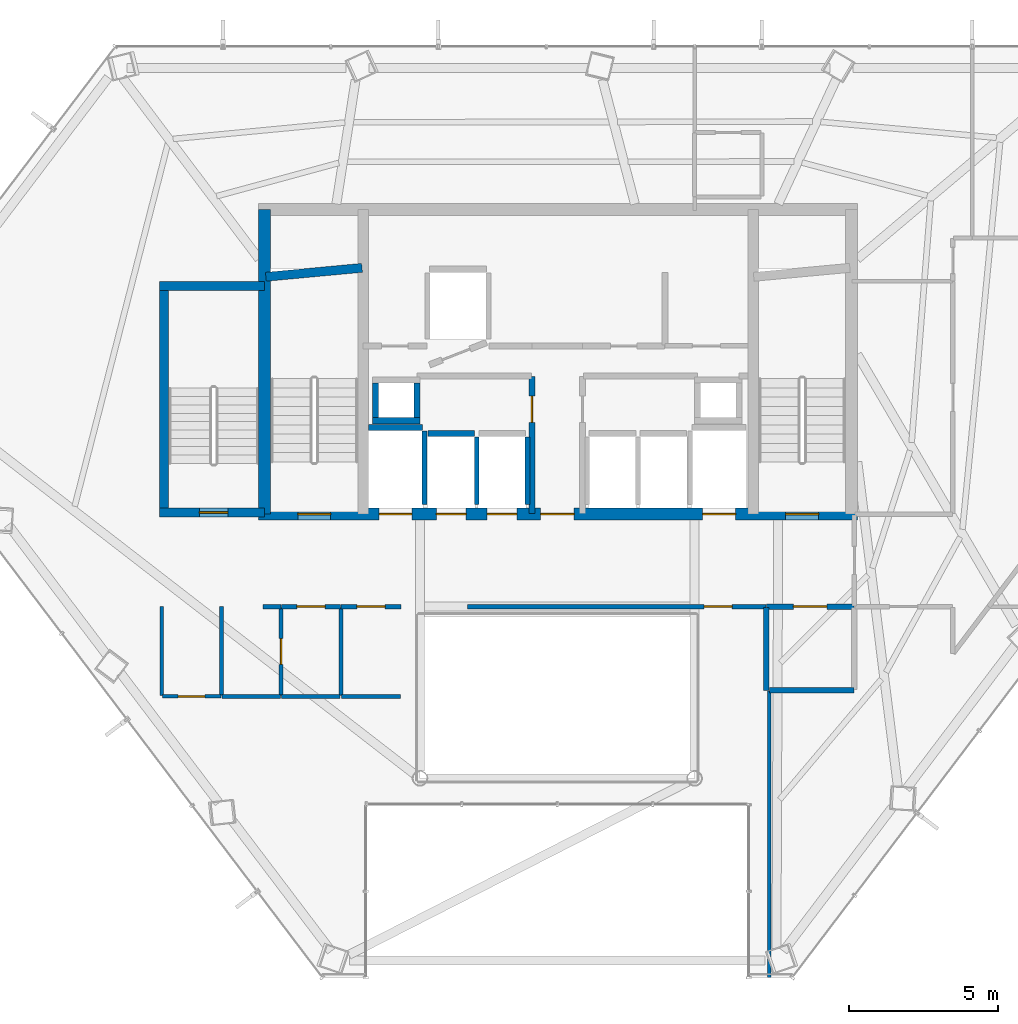
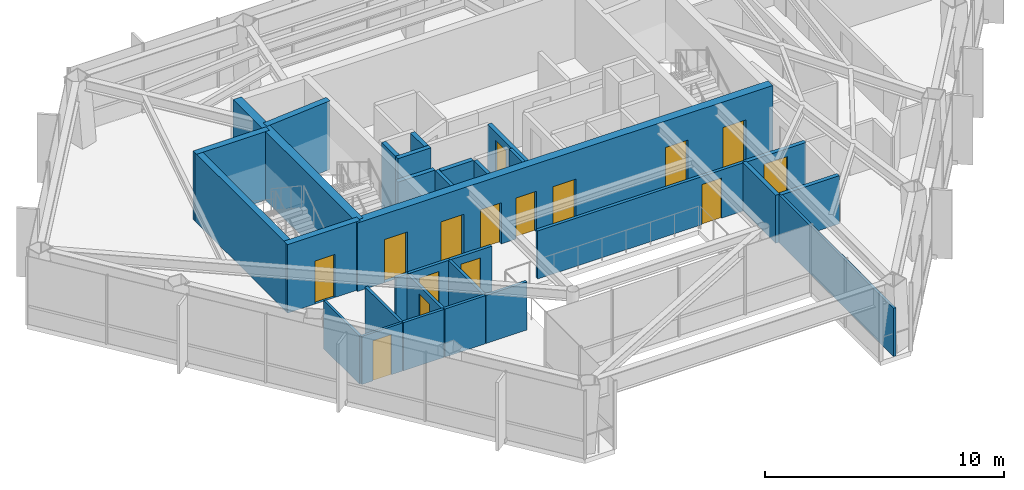
# One storey, part 27 of 30: 31 walls, 15 doors, 15 openings.
"""IFC4 building model written with IfcOpenShell, lengths in metres."""

from ifc_helpers import new_model, si_unit, direction, frame, frame_2d, origin, place, context, subcontext, project, spatial, rectangle, extrude, material, layer, layer_set, type_object, element, fill, save


model = new_model("IFC4")

# Units and contexts
model_context = context("Model", 3, precision=1e-05, world=origin(), true_north=direction((0.0, 1.0)))
body_context = subcontext(model_context, "Body", "Model", "MODEL_VIEW")
ifc_project = project(units=[si_unit("LENGTHUNIT", "METRE"), si_unit("AREAUNIT", "SQUARE_METRE"), si_unit("VOLUMEUNIT", "CUBIC_METRE"), si_unit("PLANEANGLEUNIT", "RADIAN"), si_unit("MASSUNIT", "GRAM", prefix="KILO")], contexts=[model_context])

# Site, building, storey
site_placement = place(None, origin())
site = spatial("IfcSite", under=ifc_project, at=site_placement, CompositionType="ELEMENT")
building_placement = place(site_placement, origin())
building = spatial("IfcBuilding", under=site, at=building_placement, Name="Zarrinselat Tower", CompositionType="ELEMENT")
storey_placement = place(building_placement, frame((0.0, 0.0, 160.820068359375)))
storey = spatial("IfcBuildingStorey", under=building, at=storey_placement, Name="L39", CompositionType="ELEMENT", Elevation=160.820068359375)

# Wall, opening, door
ifc_material_1 = material(Name="Concrete C40/50", Category="concrete")
ifc_layer_1 = layer(ifc_material_1, 0.18994140625)
ifc_layer_set_1 = layer_set([ifc_layer_1], Name="Concrete C40/50")
wall_type_1 = type_object("IfcWallType", Name="WAL-PART-EI120", PredefinedType="PARTITIONING", material=ifc_layer_set_1)
wall_1_placement = place(storey_placement, frame((45.405029296875, 30.14990234375, 0.0), z_axis=(0.0, 0.0, 1.0), x_axis=(1.0, 0.0, 0.0)))
wall_1 = element("IfcWall", 1, at=wall_1_placement, inside=storey, type_object=wall_type_1, Name="L39 Partition Wall 12", PredefinedType="PARTITIONING", context=body_context, shape_type="SweptSolid", body=[
    extrude(rectangle(XDim=2.925048828125, YDim=0.18994140625, at=frame_2d((1.46240234375, 0.0))), origin(), (0.0, 0.0, 1.0), 2.45703125),
])
opening_1_placement = place(wall_1_placement, frame((0.902587890625, 0.0, 0.0)))
opening_1 = element("IfcOpeningElement", 2, at=opening_1_placement, cuts=wall_1, Name="Opening ID-02", PredefinedType="OPENING", context=body_context, shape_type="SweptSolid", body=[
    extrude(rectangle(XDim=1.1201171875, YDim=2.050048828125, at=frame_2d((0.56005859375, 1.02490234375))), frame((0.0, 0.10498046875, 0.0), z_axis=(0.0, -1.0, 0.0), x_axis=(1.0, 0.0, 0.0)), (0.0, 0.0, 1.0), 0.2099609375),
])
ifc_material_2 = material(Name="Steel S355J2", Category="steel")
door_type_1 = type_object("IfcDoorType", Name="DR-INT-FD60-W", OperationType="NOTDEFINED", PredefinedType="DOOR", material=ifc_material_2)
door_1_placement = place(opening_1_placement, origin())
door_1 = element("IfcDoor", 3, at=door_1_placement, inside=storey, type_object=door_type_1, Name="L39 Interior Door P12", OperationType="SINGLE_SWING_LEFT", OverallHeight=2.050048828125, OverallWidth=1.1201171875, PredefinedType="DOOR", context=body_context, shape_type="SweptSolid", body=[
    extrude(rectangle(XDim=1.1201171875, YDim=2.050048828125, at=frame_2d((0.56005859375, 1.02490234375))), frame((0.0, 0.02490234375, 0.0), z_axis=(0.0, -1.0, 0.0), x_axis=(1.0, 0.0, 0.0)), (0.0, 0.0, 1.0), 0.050048828125),
])
fill(opening_1, door_1)

# Walls
wall_2_placement = place(storey_placement, frame((45.5087890625, 27.35009765625, 0.0), z_axis=(0.0, 0.0, 1.0), x_axis=(1.0, 0.0, 0.0)))
element("IfcWall", 4, at=wall_2_placement, inside=storey, type_object=wall_type_1, Name="L39 Partition Wall 18", PredefinedType="PARTITIONING", context=body_context, shape_type="SweptSolid", body=[
    extrude(rectangle(XDim=2.8212890625, YDim=0.18994140625, at=frame_2d((1.41064453125, 0.0))), origin(), (0.0, 0.0, 1.0), 2.45703125),
])
wall_3_placement = place(storey_placement, frame((45.39990234375, 27.35009765625, 0.0), z_axis=(0.0, 0.0, 1.0), x_axis=(0.0, 1.0, 0.0)))
element("IfcWall", 5, at=wall_3_placement, inside=storey, type_object=wall_type_1, Name="L39 Partition Wall 20", PredefinedType="PARTITIONING", context=body_context, shape_type="SweptSolid", body=[
    extrude(rectangle(XDim=2.77978515625, YDim=0.18994140625, at=frame_2d((1.389892578125, 0.0))), origin(), (0.0, 0.0, 1.0), 2.45703125),
])
ifc_material_3 = material(Name="Fire-Rated Gypsum Board Partition", Category="gypsum")
ifc_layer_2 = layer(ifc_material_3, 0.14990234375)
ifc_layer_set_2 = layer_set([ifc_layer_2], Name="Fire-Rated Gypsum Board Partition")
wall_type_2 = type_object("IfcWallType", Name="WAL-PART-EI60", PredefinedType="PARTITIONING", material=ifc_layer_set_2)
wall_4_placement = place(storey_placement, frame((28.550048828125, 30.14990234375, 0.0), z_axis=(0.0, 0.0, 1.0), x_axis=(1.0, 0.0, 0.0)))
element("IfcWall", 6, at=wall_4_placement, inside=storey, type_object=wall_type_2, Name="L39 Partition Wall 14", PredefinedType="PARTITIONING", context=body_context, shape_type="SweptSolid", body=[
    extrude(rectangle(XDim=0.594970703125, YDim=0.14990234375, at=frame_2d((0.29736328125, 0.0))), origin(), (0.0, 0.0, 1.0), 2.45703125),
])

# Wall, opening, door
wall_5_placement = place(storey_placement, frame((29.155029296875, 30.14990234375, 0.0), z_axis=(0.0, 0.0, 1.0), x_axis=(1.0, 0.0, 0.0)))
wall_5 = element("IfcWall", 7, at=wall_5_placement, inside=storey, type_object=wall_type_2, Name="L39 Partition Wall 15", PredefinedType="PARTITIONING", context=body_context, shape_type="SweptSolid", body=[
    extrude(rectangle(XDim=1.989990234375, YDim=0.14990234375, at=frame_2d((0.9951171875, 0.0))), origin(), (0.0, 0.0, 1.0), 2.45703125),
])
opening_2_placement = place(wall_5_placement, frame((0.52490234375, 0.0, 0.0)))
opening_2 = element("IfcOpeningElement", 8, at=opening_2_placement, cuts=wall_5, Name="Opening ID-04", PredefinedType="OPENING", context=body_context, shape_type="SweptSolid", body=[
    extrude(rectangle(XDim=0.93994140625, YDim=2.050048828125, at=frame_2d((0.469970703125, 1.02490234375))), frame((0.0, 0.0849609375, 0.0), z_axis=(0.0, -1.0, 0.0), x_axis=(1.0, 0.0, 0.0)), (0.0, 0.0, 1.0), 0.169921875),
])
ifc_material_4 = material(Name="Fire-Rated Gypsum Board Partition")
door_type_2 = type_object("IfcDoorType", Name="DR-INT-FD30-ENT", OperationType="NOTDEFINED", PredefinedType="DOOR", material=ifc_material_4)
door_2_placement = place(opening_2_placement, origin())
door_2 = element("IfcDoor", 9, at=door_2_placement, inside=storey, type_object=door_type_2, Name="L39 Interior Door P15", OperationType="SINGLE_SWING_LEFT", OverallHeight=2.050048828125, OverallWidth=0.93994140625, PredefinedType="DOOR", context=body_context, shape_type="SweptSolid", body=[
    extrude(rectangle(XDim=0.93994140625, YDim=2.050048828125, at=frame_2d((0.469970703125, 1.02490234375))), frame((0.0, 0.02490234375, 0.0), z_axis=(0.0, -1.0, 0.0), x_axis=(1.0, 0.0, 0.0)), (0.0, 0.0, 1.0), 0.050048828125),
])
fill(opening_2, door_2)

wall_6_placement = place(storey_placement, frame((31.155029296875, 30.14990234375, 0.0), z_axis=(0.0, 0.0, 1.0), x_axis=(1.0, 0.0, 0.0)))
wall_6 = element("IfcWall", 10, at=wall_6_placement, inside=storey, type_object=wall_type_2, Name="L39 Partition Wall 16", PredefinedType="PARTITIONING", context=body_context, shape_type="SweptSolid", body=[
    extrude(rectangle(XDim=2.010009765625, YDim=0.14990234375, at=frame_2d((1.0048828125, 0.0))), origin(), (0.0, 0.0, 1.0), 2.45703125),
])
opening_3_placement = place(wall_6_placement, frame((0.534912109375, 0.0, 0.0)))
opening_3 = element("IfcOpeningElement", 11, at=opening_3_placement, cuts=wall_6, Name="Opening ID-04", PredefinedType="OPENING", context=body_context, shape_type="SweptSolid", body=[
    extrude(rectangle(XDim=0.93994140625, YDim=2.050048828125, at=frame_2d((0.469970703125, 1.02490234375))), frame((0.0, 0.0849609375, 0.0), z_axis=(0.0, -1.0, 0.0), x_axis=(1.0, 0.0, 0.0)), (0.0, 0.0, 1.0), 0.169921875),
])
door_3_placement = place(opening_3_placement, origin())
door_3 = element("IfcDoor", 12, at=door_3_placement, inside=storey, type_object=door_type_2, Name="L39 Interior Door P16", OperationType="SINGLE_SWING_RIGHT", OverallHeight=2.050048828125, OverallWidth=0.93994140625, PredefinedType="DOOR", context=body_context, shape_type="SweptSolid", body=[
    extrude(rectangle(XDim=0.93994140625, YDim=2.050048828125, at=frame_2d((0.469970703125, 1.02490234375))), frame((0.0, 0.02490234375, 0.0), z_axis=(0.0, -1.0, 0.0), x_axis=(1.0, 0.0, 0.0)), (0.0, 0.0, 1.0), 0.050048828125),
])
fill(opening_3, door_3)

wall_7_placement = place(storey_placement, frame((35.385009765625, 30.14990234375, 0.0), z_axis=(0.0, 0.0, 1.0), x_axis=(1.0, 0.0, 0.0)))
wall_7 = element("IfcWall", 13, at=wall_7_placement, inside=storey, type_object=wall_type_2, Name="L39 Partition Wall 17", PredefinedType="PARTITIONING", context=body_context, shape_type="SweptSolid", body=[
    extrude(rectangle(XDim=10.010009765625, YDim=0.14990234375, at=frame_2d((5.0048828125, 0.0))), origin(), (0.0, 0.0, 1.0), 2.45703125),
])
opening_4_placement = place(wall_7_placement, frame((7.93505859375, 0.0, 0.0)))
opening_4 = element("IfcOpeningElement", 14, at=opening_4_placement, cuts=wall_7, Name="Opening ID-04", PredefinedType="OPENING", context=body_context, shape_type="SweptSolid", body=[
    extrude(rectangle(XDim=0.93994140625, YDim=2.050048828125, at=frame_2d((0.469970703125, 1.02490234375))), frame((0.0, 0.0849609375, 0.0), z_axis=(0.0, -1.0, 0.0), x_axis=(1.0, 0.0, 0.0)), (0.0, 0.0, 1.0), 0.169921875),
])
door_4_placement = place(opening_4_placement, origin())
door_4 = element("IfcDoor", 15, at=door_4_placement, inside=storey, type_object=door_type_2, Name="L39 Interior Door P17", OperationType="SINGLE_SWING_LEFT", OverallHeight=2.050048828125, OverallWidth=0.93994140625, PredefinedType="DOOR", context=body_context, shape_type="SweptSolid", body=[
    extrude(rectangle(XDim=0.93994140625, YDim=2.050048828125, at=frame_2d((0.469970703125, 1.02490234375))), frame((0.0, 0.02490234375, 0.0), z_axis=(0.0, -1.0, 0.0), x_axis=(1.0, 0.0, 0.0)), (0.0, 0.0, 1.0), 0.050048828125),
])
fill(opening_4, door_4)

ifc_material_5 = material(Name="Concrete C40/50", Category="concrete")
ifc_layer_3 = layer(ifc_material_5, 0.199951171875)
ifc_layer_set_3 = layer_set([ifc_layer_3], Name="Concrete C40/50")
wall_type_3 = type_object("IfcWallType", Name="WAL-PART-PLANT", PredefinedType="PARTITIONING", material=ifc_layer_set_3)
wall_8_placement = place(storey_placement, frame((37.550048828125, 33.264892578125, 0.0), z_axis=(0.0, 0.0, 1.0), x_axis=(0.0, 1.0, 0.0)))
wall_8 = element("IfcWall", 16, at=wall_8_placement, inside=storey, type_object=wall_type_3, Name="L39 Partition Wall 1", PredefinedType="PARTITIONING", context=body_context, shape_type="SweptSolid", body=[
    extrude(rectangle(XDim=4.59521484375, YDim=0.199951171875, at=frame_2d((2.297607421875, 0.0))), origin(), (0.0, 0.0, 1.0), 2.45703125),
])
opening_5_placement = place(wall_8_placement, frame((3.0576171875, 0.0, 0.0)))
opening_5 = element("IfcOpeningElement", 17, at=opening_5_placement, cuts=wall_8, Name="Opening ID-03", PredefinedType="OPENING", context=body_context, shape_type="SweptSolid", body=[
    extrude(rectangle(XDim=0.8798828125, YDim=2.050048828125, at=frame_2d((0.43994140625, 1.02490234375))), frame((0.0, 0.10986328125, 0.0), z_axis=(0.0, -1.0, 0.0), x_axis=(1.0, 0.0, 0.0)), (0.0, 0.0, 1.0), 0.219970703125),
])
ifc_material_6 = material(Name="Steel S355J2", Category="steel")
door_type_3 = type_object("IfcDoorType", Name="DR-INT-FD60-S", OperationType="NOTDEFINED", PredefinedType="DOOR", material=ifc_material_6)
door_5_placement = place(opening_5_placement, origin())
door_5 = element("IfcDoor", 18, at=door_5_placement, inside=storey, type_object=door_type_3, Name="L39 Interior Door P1", OperationType="SINGLE_SWING_RIGHT", OverallHeight=2.050048828125, OverallWidth=0.8798828125, PredefinedType="DOOR", context=body_context, shape_type="SweptSolid", body=[
    extrude(rectangle(XDim=0.8798828125, YDim=2.050048828125, at=frame_2d((0.43994140625, 1.02490234375))), frame((0.0, 0.02490234375, 0.0), z_axis=(0.0, -1.0, 0.0), x_axis=(1.0, 0.0, 0.0)), (0.0, 0.0, 1.0), 0.050048828125),
])
fill(opening_5, door_5)

ifc_material_7 = material(Name="Fire-Rated Gypsum Board Partition", Category="gypsum")
ifc_layer_4 = layer(ifc_material_7, 0.1201171875)
ifc_layer_set_4 = layer_set([ifc_layer_4], Name="Fire-Rated Gypsum Board Partition")
wall_type_4 = type_object("IfcWallType", Name="WAL-PART-STD", PredefinedType="PARTITIONING", material=ifc_layer_set_4)
wall_9_placement = place(storey_placement, frame((25.169921875, 27.14990234375, 0.0), z_axis=(0.0, 0.0, 1.0), x_axis=(1.0, 0.0, 0.0)))
wall_9 = element("IfcWall", 19, at=wall_9_placement, inside=storey, type_object=wall_type_4, Name="L39 Partition Wall 34", PredefinedType="PARTITIONING", context=body_context, shape_type="SweptSolid", body=[
    extrude(rectangle(XDim=1.9599609375, YDim=0.1201171875, at=frame_2d((0.97998046875, 0.0))), origin(), (0.0, 0.0, 1.0), 2.45703125),
])
opening_6_placement = place(wall_9_placement, frame((0.530029296875, 0.0, 0.0)))
opening_6 = element("IfcOpeningElement", 20, at=opening_6_placement, cuts=wall_9, Name="Opening ID-05", PredefinedType="OPENING", context=body_context, shape_type="SweptSolid", body=[
    extrude(rectangle(XDim=0.89990234375, YDim=2.050048828125, at=frame_2d((0.449951171875, 1.02490234375))), frame((0.0, 0.070068359375, 0.0), z_axis=(0.0, -1.0, 0.0), x_axis=(1.0, 0.0, 0.0)), (0.0, 0.0, 1.0), 0.14013671875),
])
ifc_material_8 = material(Name="Extruded Aluminium Alloy EN AW-6063 T6", Category="aluminium")
door_type_4 = type_object("IfcDoorType", Name="DR-INT-STD-920", OperationType="NOTDEFINED", PredefinedType="DOOR", material=ifc_material_8)
door_6_placement = place(opening_6_placement, origin())
door_6 = element("IfcDoor", 21, at=door_6_placement, inside=storey, type_object=door_type_4, Name="L39 Interior Door P34", OperationType="SINGLE_SWING_LEFT", OverallHeight=2.050048828125, OverallWidth=0.89990234375, PredefinedType="DOOR", context=body_context, shape_type="SweptSolid", body=[
    extrude(rectangle(XDim=0.89990234375, YDim=2.050048828125, at=frame_2d((0.449951171875, 1.02490234375))), frame((0.0, 0.02490234375, 0.0), z_axis=(0.0, -1.0, 0.0), x_axis=(1.0, 0.0, 0.0)), (0.0, 0.0, 1.0), 0.050048828125),
])
fill(opening_6, door_6)

# Walls
wall_10_placement = place(storey_placement, frame((25.14990234375, 27.169921875, 0.0), z_axis=(0.0, 0.0, 1.0), x_axis=(0.0, 1.0, 0.0)))
element("IfcWall", 22, at=wall_10_placement, inside=storey, type_object=wall_type_4, Name="L39 Partition Wall 35", PredefinedType="PARTITIONING", context=body_context, shape_type="SweptSolid", body=[
    extrude(rectangle(XDim=2.97998046875, YDim=0.1201171875, at=frame_2d((1.489990234375, 0.0))), origin(), (0.0, 0.0, 1.0), 2.45703125),
])
wall_11_placement = place(storey_placement, frame((45.50390625, 17.73828125, 0.0), z_axis=(0.0, 0.0, 1.0), x_axis=(0.0, 1.0, 0.0)))
element("IfcWall", 23, at=wall_11_placement, inside=storey, type_object=wall_type_4, Name="L39 Partition Wall 41", PredefinedType="PARTITIONING", context=body_context, shape_type="SweptSolid", body=[
    extrude(rectangle(XDim=9.591796875, YDim=0.1201171875, at=frame_2d((4.7958984375, 0.0))), origin(), (0.0, 0.0, 1.0), 2.45703125),
])
ifc_material_9 = material(Name="Fire-Rated Gypsum Board Partition", Category="gypsum")
ifc_layer_5 = layer(ifc_material_9, 0.135009765625)
ifc_layer_set_5 = layer_set([ifc_layer_5], Name="Fire-Rated Gypsum Board Partition")
wall_type_5 = type_object("IfcWallType", Name="WAL-PART-WET", PredefinedType="PARTITIONING", material=ifc_layer_set_5)
wall_12_placement = place(storey_placement, frame((27.14990234375, 27.169921875, 0.0), z_axis=(0.0, 0.0, 1.0), x_axis=(0.0, 1.0, 0.0)))
element("IfcWall", 24, at=wall_12_placement, inside=storey, type_object=wall_type_5, Name="L39 Partition Wall 33", PredefinedType="PARTITIONING", context=body_context, shape_type="SweptSolid", body=[
    extrude(rectangle(XDim=2.97998046875, YDim=0.135009765625, at=frame_2d((1.489990234375, 0.0))), origin(), (0.0, 0.0, 1.0), 2.45703125),
])

# Wall, opening, door
wall_13_placement = place(storey_placement, frame((29.14990234375, 27.169921875, 0.0), z_axis=(0.0, 0.0, 1.0), x_axis=(0.0, 1.0, 0.0)))
wall_13 = element("IfcWall", 25, at=wall_13_placement, inside=storey, type_object=wall_type_5, Name="L39 Partition Wall 36", PredefinedType="PARTITIONING", context=body_context, shape_type="SweptSolid", body=[
    extrude(rectangle(XDim=2.9599609375, YDim=0.135009765625, at=frame_2d((1.47998046875, 0.0))), origin(), (0.0, 0.0, 1.0), 2.45703125),
])
opening_7_placement = place(wall_13_placement, frame((1.050048828125, 0.0, 0.0)))
opening_7 = element("IfcOpeningElement", 26, at=opening_7_placement, cuts=wall_13, Name="Opening ID-06", PredefinedType="OPENING", context=body_context, shape_type="SweptSolid", body=[
    extrude(rectangle(XDim=0.860107421875, YDim=2.050048828125, at=frame_2d((0.43017578125, 1.02490234375))), frame((0.0, 0.077392578125, 0.0), z_axis=(0.0, -1.0, 0.0), x_axis=(1.0, 0.0, 0.0)), (0.0, 0.0, 1.0), 0.155029296875),
])
ifc_material_10 = material(Name="Extruded Aluminium Alloy EN AW-6063 T6", Category="aluminium")
door_type_5 = type_object("IfcDoorType", Name="DR-INT-WET-900", OperationType="NOTDEFINED", PredefinedType="DOOR", material=ifc_material_10)
door_7_placement = place(opening_7_placement, origin())
door_7 = element("IfcDoor", 27, at=door_7_placement, inside=storey, type_object=door_type_5, Name="L39 Interior Door P36", OperationType="SINGLE_SWING_RIGHT", OverallHeight=2.050048828125, OverallWidth=0.860107421875, PredefinedType="DOOR", context=body_context, shape_type="SweptSolid", body=[
    extrude(rectangle(XDim=0.860107421875, YDim=2.050048828125, at=frame_2d((0.43017578125, 1.02490234375))), frame((0.0, 0.02490234375, 0.0), z_axis=(0.0, -1.0, 0.0), x_axis=(1.0, 0.0, 0.0)), (0.0, 0.0, 1.0), 0.050048828125),
])
fill(opening_7, door_7)

# Walls
wall_14_placement = place(storey_placement, frame((27.169921875, 27.14990234375, 0.0), z_axis=(0.0, 0.0, 1.0), x_axis=(1.0, 0.0, 0.0)))
element("IfcWall", 28, at=wall_14_placement, inside=storey, type_object=wall_type_5, Name="L39 Partition Wall 37", PredefinedType="PARTITIONING", context=body_context, shape_type="SweptSolid", body=[
    extrude(rectangle(XDim=1.9599609375, YDim=0.135009765625, at=frame_2d((0.97998046875, 0.0))), origin(), (0.0, 0.0, 1.0), 2.45703125),
])
wall_15_placement = place(storey_placement, frame((31.14990234375, 27.169921875, 0.0), z_axis=(0.0, 0.0, 1.0), x_axis=(0.0, 1.0, 0.0)))
element("IfcWall", 29, at=wall_15_placement, inside=storey, type_object=wall_type_5, Name="L39 Partition Wall 38", PredefinedType="PARTITIONING", context=body_context, shape_type="SweptSolid", body=[
    extrude(rectangle(XDim=2.9599609375, YDim=0.135009765625, at=frame_2d((1.47998046875, 0.0))), origin(), (0.0, 0.0, 1.0), 2.45703125),
])
wall_16_placement = place(storey_placement, frame((29.169921875, 27.14990234375, 0.0), z_axis=(0.0, 0.0, 1.0), x_axis=(1.0, 0.0, 0.0)))
element("IfcWall", 30, at=wall_16_placement, inside=storey, type_object=wall_type_5, Name="L39 Partition Wall 39", PredefinedType="PARTITIONING", context=body_context, shape_type="SweptSolid", body=[
    extrude(rectangle(XDim=1.9599609375, YDim=0.135009765625, at=frame_2d((0.97998046875, 0.0))), origin(), (0.0, 0.0, 1.0), 2.45703125),
])
wall_17_placement = place(storey_placement, frame((31.169921875, 27.14990234375, 0.0), z_axis=(0.0, 0.0, 1.0), x_axis=(1.0, 0.0, 0.0)))
element("IfcWall", 31, at=wall_17_placement, inside=storey, type_object=wall_type_5, Name="L39 Partition Wall 40", PredefinedType="PARTITIONING", context=body_context, shape_type="SweptSolid", body=[
    extrude(rectangle(XDim=1.97998046875, YDim=0.135009765625, at=frame_2d((0.989990234375, 0.0))), origin(), (0.0, 0.0, 1.0), 2.45703125),
])
ifc_material_11 = material(Name="Concrete C40/50", Category="concrete")
ifc_layer_6 = layer(ifc_material_11, 0.2099609375)
ifc_layer_set_6 = layer_set([ifc_layer_6], Name="Concrete C40/50")
wall_type_6 = type_object("IfcWallType", Name="WAL-SHAFT-210", PredefinedType="SOLIDWALL", material=ifc_layer_set_6)
wall_18_placement = place(storey_placement, frame((32.080078125, 36.155029296875, 0.0), z_axis=(0.0, 0.0, 1.0), x_axis=(1.0, 0.0, 0.0)))
element("IfcWall", 32, at=wall_18_placement, inside=storey, type_object=wall_type_6, Name="L39 Lift FFL1 North Shaft Wall", PredefinedType="SOLIDWALL", context=body_context, shape_type="SweptSolid", body=[
    extrude(rectangle(XDim=1.7998046875, YDim=0.2099609375, at=frame_2d((0.89990234375, 0.0))), origin(), (0.0, 0.0, 1.0), 2.471923828125),
])
wall_19_placement = place(storey_placement, frame((33.949951171875, 33.580078125, 0.0), z_axis=(0.0, 0.0, 1.0), x_axis=(0.0, 1.0, 0.0)))
element("IfcWall", 33, at=wall_19_placement, inside=storey, type_object=wall_type_6, Name="L39 Lift FFL1 E Shaft Wall", PredefinedType="SOLIDWALL", context=body_context, shape_type="SweptSolid", body=[
    extrude(rectangle(XDim=2.449951171875, YDim=0.159912109375, at=frame_2d((1.22509765625, 0.0))), origin(), (0.0, 0.0, 1.0), 2.471923828125),
])
wall_20_placement = place(storey_placement, frame((34.070068359375, 35.955078125, 0.0), z_axis=(0.0, 0.0, 1.0), x_axis=(1.0, 0.0, 0.0)))
element("IfcWall", 34, at=wall_20_placement, inside=storey, type_object=wall_type_6, Name="L39 Lift PL5 North Shaft Wall", PredefinedType="SOLIDWALL", context=body_context, shape_type="SweptSolid", body=[
    extrude(rectangle(XDim=1.559814453125, YDim=0.2099609375, at=frame_2d((0.77978515625, 0.0))), origin(), (0.0, 0.0, 1.0), 2.471923828125),
])
for number, where, z_axis, x_axis, name in (
    (35, (35.699951171875, 33.580078125, 0.0), (0.0, 0.0, 1.0), (0.0, 1.0, 0.0), "L39 Lift PL5 E Shaft Wall"),
    (36, (37.39990234375, 33.580078125, 0.0), (0.0, 0.0, 1.0), (0.0, 1.0, 0.0), "L39 Lift PL6 E Shaft Wall"),
):
    element("IfcWall", number, at=place(storey_placement, frame(where, z_axis=z_axis, x_axis=x_axis)), inside=storey, type_object=wall_type_6, Name=name, PredefinedType="SOLIDWALL", context=body_context, shape_type="SweptSolid", body=[
        extrude(rectangle(XDim=2.25, YDim=0.159912109375, at=frame_2d((1.125, 0.0))), origin(), (0.0, 0.0, 1.0), 2.471923828125),
    ])
wall_21_placement = place(storey_placement, frame((32.2099609375, 36.375, 0.0), z_axis=(0.0, 0.0, 1.0), x_axis=(1.0, 0.0, 0.0)))
element("IfcWall", 37, at=wall_21_placement, inside=storey, type_object=wall_type_6, Name="L39 Core Riser RSR-W S Shaft Wall", PredefinedType="SOLIDWALL", context=body_context, shape_type="SweptSolid", body=[
    extrude(rectangle(XDim=1.60009765625, YDim=0.2099609375, at=frame_2d((0.800048828125, 0.0))), origin(), (0.0, 0.0, 1.0), 3.5),
])
for number, where, z_axis, x_axis, name in (
    (38, (32.31494140625, 36.485107421875, 0.0), (0.0, 0.0, 1.0), (0.0, 1.0, 0.0), "L39 Core Riser RSR-W W Shaft Wall"),
    (39, (33.705078125, 36.485107421875, 0.0), (0.0, 0.0, 1.0), (0.0, 1.0, 0.0), "L39 Core Riser RSR-W E Shaft Wall"),
):
    element("IfcWall", number, at=place(storey_placement, frame(where, z_axis=z_axis, x_axis=x_axis)), inside=storey, type_object=wall_type_6, Name=name, PredefinedType="SOLIDWALL", context=body_context, shape_type="SweptSolid", body=[
        extrude(rectangle(XDim=1.14990234375, YDim=0.2099609375, at=frame_2d((0.574951171875, 0.0))), origin(), (0.0, 0.0, 1.0), 3.5),
    ])
ifc_material_12 = material(Name="Concrete C40/50", Category="concrete")
ifc_layer_7 = layer(ifc_material_12, 0.300048828125)
ifc_layer_set_7 = layer_set([ifc_layer_7], Name="Concrete C40/50")
wall_type_7 = type_object("IfcWallType", Name="WAL-SHEAR-300", PredefinedType="SHEAR", material=ifc_layer_set_7)
wall_22_placement = place(storey_placement, frame((28.639892578125, 41.199951171875, 0.0), z_axis=(0.0, 0.0, 1.0), x_axis=(0.995687118776, 0.092774789157, 0.0)))
element("IfcWall", 40, at=wall_22_placement, inside=storey, type_object=wall_type_7, Name="L39 Stair 1 North Shaft Wall", PredefinedType="SHEAR", context=body_context, shape_type="SweptSolid", body=[
    extrude(rectangle(XDim=3.234130859375, YDim=0.300048828125, at=frame_2d((1.6171875, 0.0))), origin(), (0.0, 0.0, 1.0), 3.5),
])
wall_23_placement = place(storey_placement, frame((25.080078125, 40.89990234375, 0.0), z_axis=(0.0, 0.0, 1.0), x_axis=(1.0, 0.0, 0.0)))
element("IfcWall", 41, at=wall_23_placement, inside=storey, type_object=wall_type_7, Name="L39 Stair 3 North Shear Wall", PredefinedType="SHEAR", context=body_context, shape_type="SweptSolid", body=[
    extrude(rectangle(XDim=3.52001953125, YDim=0.300048828125, at=frame_2d((1.760009765625, 0.0))), origin(), (0.0, 0.0, 1.0), 3.5),
])

# Wall, opening, door
wall_24_placement = place(storey_placement, frame((25.080078125, 33.300048828125, 0.0), z_axis=(0.0, 0.0, 1.0), x_axis=(1.0, 0.0, 0.0)))
wall_24 = element("IfcWall", 42, at=wall_24_placement, inside=storey, type_object=wall_type_7, Name="L39 Stair 3 South Shear Wall", PredefinedType="SHEAR", context=body_context, shape_type="SweptSolid", body=[
    extrude(rectangle(XDim=3.52001953125, YDim=0.300048828125, at=frame_2d((1.760009765625, 0.0))), origin(), (0.0, 0.0, 1.0), 3.5),
])
opening_8_placement = place(wall_24_placement, frame((1.3349609375, 0.0, 0.0)))
opening_8 = element("IfcOpeningElement", 43, at=opening_8_placement, cuts=wall_24, Name="Opening SD-02", PredefinedType="OPENING", context=body_context, shape_type="SweptSolid", body=[
    extrude(rectangle(XDim=0.949951171875, YDim=2.199951171875, at=frame_2d((0.47509765625, 1.10009765625))), frame((0.0, 0.159912109375, 0.0), z_axis=(0.0, -1.0, 0.0), x_axis=(1.0, 0.0, 0.0)), (0.0, 0.0, 1.0), 0.320068359375),
])
ifc_material_13 = material(Name="Steel S355J2", Category="steel")
door_type_6 = type_object("IfcDoorType", Name="DR-STAIR-1050", OperationType="NOTDEFINED", PredefinedType="DOOR", material=ifc_material_13)
door_8_placement = place(opening_8_placement, origin())
door_8 = element("IfcDoor", 44, at=door_8_placement, inside=storey, type_object=door_type_6, Name="L39 Exit Stair 3 Fire Door", OperationType="SINGLE_SWING_LEFT", OverallHeight=2.199951171875, OverallWidth=0.949951171875, PredefinedType="DOOR", context=body_context, shape_type="SweptSolid", body=[
    extrude(rectangle(XDim=0.949951171875, YDim=2.199951171875, at=frame_2d((0.47509765625, 1.10009765625))), frame((0.0, 0.02490234375, 0.0), z_axis=(0.0, -1.0, 0.0), x_axis=(1.0, 0.0, 0.0)), (0.0, 0.0, 1.0), 0.050048828125),
])
fill(opening_8, door_8)

# Wall
wall_25_placement = place(storey_placement, frame((25.22998046875, 33.300048828125, 0.0), z_axis=(0.0, 0.0, 1.0), x_axis=(0.0, 1.0, 0.0)))
element("IfcWall", 45, at=wall_25_placement, inside=storey, type_object=wall_type_7, Name="L39 Stair 3 West Shear Wall", PredefinedType="SHEAR", context=body_context, shape_type="SweptSolid", body=[
    extrude(rectangle(XDim=7.599853515625, YDim=0.300048828125, at=frame_2d((3.7998046875, 0.0))), origin(), (0.0, 0.0, 1.0), 3.5),
])

# Wall, openings, doors
ifc_material_14 = material(Name="Concrete C60/75", Category="concrete")
ifc_layer_8 = layer(ifc_material_14, 0.39990234375)
ifc_layer_set_8 = layer_set([ifc_layer_8], Name="Concrete C60/75")
wall_type_8 = type_object("IfcWallType", Name="WAL-SHEAR-400", PredefinedType="SHEAR", material=ifc_layer_set_8)
wall_26_placement = place(storey_placement, frame((28.39990234375, 33.25, 0.0), z_axis=(0.0, 0.0, 1.0), x_axis=(1.0, 0.0, 0.0)))
wall_26 = element("IfcWall", 46, at=wall_26_placement, inside=storey, type_object=wall_type_8, Name="L39 South Core Shear Wall", PredefinedType="SHEAR", context=body_context, shape_type="SweptSolid", body=[
    extrude(rectangle(XDim=20.06005859375, YDim=0.39990234375, at=frame_2d((10.030029296875, 0.0))), origin(), (0.0, 0.0, 1.0), 3.5),
])
opening_9_placement = place(wall_26_placement, frame((4.030029296875, 0.0, 0.0)))
opening_9 = element("IfcOpeningElement", 47, at=opening_9_placement, cuts=wall_26, Name="Opening LD-FFL1", PredefinedType="OPENING", context=body_context, shape_type="SweptSolid", body=[
    extrude(rectangle(XDim=1.10009765625, YDim=2.14990234375, at=frame_2d((0.550048828125, 1.074951171875))), frame((0.0, 0.2099609375, 0.0), z_axis=(0.0, -1.0, 0.0), x_axis=(1.0, 0.0, 0.0)), (0.0, 0.0, 1.0), 0.419921875),
])
opening_10_placement = place(wall_26_placement, frame((14.8701171875, 0.0, 0.0)))
opening_10 = element("IfcOpeningElement", 48, at=opening_10_placement, cuts=wall_26, Name="Opening LD-FFL2", PredefinedType="OPENING", context=body_context, shape_type="SweptSolid", body=[
    extrude(rectangle(XDim=1.10009765625, YDim=2.14990234375, at=frame_2d((0.550048828125, 1.074951171875))), frame((0.0, 0.2099609375, 0.0), z_axis=(0.0, -1.0, 0.0), x_axis=(1.0, 0.0, 0.0)), (0.0, 0.0, 1.0), 0.419921875),
])
opening_11_placement = place(wall_26_placement, frame((5.949951171875, 0.0, 0.0)))
opening_11 = element("IfcOpeningElement", 49, at=opening_11_placement, cuts=wall_26, Name="Opening LD-PL5", PredefinedType="OPENING", context=body_context, shape_type="SweptSolid", body=[
    extrude(rectangle(XDim=1.0, YDim=2.10009765625, at=frame_2d((0.5, 1.050048828125))), frame((0.0, 0.2099609375, 0.0), z_axis=(0.0, -1.0, 0.0), x_axis=(1.0, 0.0, 0.0)), (0.0, 0.0, 1.0), 0.419921875),
])
opening_12_placement = place(wall_26_placement, frame((7.64990234375, 0.0, 0.0)))
opening_12 = element("IfcOpeningElement", 50, at=opening_12_placement, cuts=wall_26, Name="Opening LD-PL6", PredefinedType="OPENING", context=body_context, shape_type="SweptSolid", body=[
    extrude(rectangle(XDim=1.0, YDim=2.10009765625, at=frame_2d((0.5, 1.050048828125))), frame((0.0, 0.2099609375, 0.0), z_axis=(0.0, -1.0, 0.0), x_axis=(1.0, 0.0, 0.0)), (0.0, 0.0, 1.0), 0.419921875),
])
opening_13_placement = place(wall_26_placement, frame((1.31005859375, 0.0, 0.0)))
opening_13 = element("IfcOpeningElement", 51, at=opening_13_placement, cuts=wall_26, Name="Opening SD-01", PredefinedType="OPENING", context=body_context, shape_type="SweptSolid", body=[
    extrude(rectangle(XDim=1.10009765625, YDim=2.199951171875, at=frame_2d((0.550048828125, 1.10009765625))), frame((0.0, 0.2099609375, 0.0), z_axis=(0.0, -1.0, 0.0), x_axis=(1.0, 0.0, 0.0)), (0.0, 0.0, 1.0), 0.419921875),
])
opening_14_placement = place(wall_26_placement, frame((9.43994140625, 0.0, 0.0)))
opening_14 = element("IfcOpeningElement", 52, at=opening_14_placement, cuts=wall_26, Name="Opening ID-02", PredefinedType="OPENING", context=body_context, shape_type="SweptSolid", body=[
    extrude(rectangle(XDim=1.1201171875, YDim=2.050048828125, at=frame_2d((0.56005859375, 1.02490234375))), frame((0.0, 0.2099609375, 0.0), z_axis=(0.0, -1.0, 0.0), x_axis=(1.0, 0.0, 0.0)), (0.0, 0.0, 1.0), 0.419921875),
])
opening_15_placement = place(wall_26_placement, frame((17.64990234375, 0.0, 0.0)))
opening_15 = element("IfcOpeningElement", 53, at=opening_15_placement, cuts=wall_26, Name="Opening SD-01", PredefinedType="OPENING", context=body_context, shape_type="SweptSolid", body=[
    extrude(rectangle(XDim=1.10009765625, YDim=2.199951171875, at=frame_2d((0.550048828125, 1.10009765625))), frame((0.0, 0.2099609375, 0.0), z_axis=(0.0, -1.0, 0.0), x_axis=(1.0, 0.0, 0.0)), (0.0, 0.0, 1.0), 0.419921875),
])
door_9_placement = place(opening_14_placement, origin())
door_9 = element("IfcDoor", 54, at=door_9_placement, inside=storey, type_object=door_type_1, Name="L39 Core Service Vestibule Fire Door", OperationType="SINGLE_SWING_LEFT", OverallHeight=2.050048828125, OverallWidth=1.1201171875, PredefinedType="DOOR", context=body_context, shape_type="SweptSolid", body=[
    extrude(rectangle(XDim=1.1201171875, YDim=2.050048828125, at=frame_2d((0.56005859375, 1.02490234375))), frame((0.0, 0.02490234375, 0.0), z_axis=(0.0, -1.0, 0.0), x_axis=(1.0, 0.0, 0.0)), (0.0, 0.0, 1.0), 0.050048828125),
])
fill(opening_14, door_9)
ifc_material_15 = material(Name="Steel S355J2", Category="steel")
door_type_7 = type_object("IfcDoorType", Name="DR-LIFT-FF-1100", OperationType="NOTDEFINED", PredefinedType="DOOR", material=ifc_material_15)
door_10_placement = place(opening_9_placement, origin())
door_10 = element("IfcDoor", 55, at=door_10_placement, inside=storey, type_object=door_type_7, Name="L39 Lift FFL1 Sliding Landing Door", OperationType="SLIDING_TO_LEFT", OverallHeight=2.14990234375, OverallWidth=1.10009765625, PredefinedType="DOOR", context=body_context, shape_type="SweptSolid", body=[
    extrude(rectangle(XDim=1.10009765625, YDim=2.14990234375, at=frame_2d((0.550048828125, 1.074951171875))), frame((0.0, 0.02490234375, 0.0), z_axis=(0.0, -1.0, 0.0), x_axis=(1.0, 0.0, 0.0)), (0.0, 0.0, 1.0), 0.050048828125),
])
fill(opening_9, door_10)
door_11_placement = place(opening_10_placement, origin())
door_11 = element("IfcDoor", 56, at=door_11_placement, inside=storey, type_object=door_type_7, Name="L39 Lift FFL2 Sliding Landing Door", OperationType="SLIDING_TO_RIGHT", OverallHeight=2.14990234375, OverallWidth=1.10009765625, PredefinedType="DOOR", context=body_context, shape_type="SweptSolid", body=[
    extrude(rectangle(XDim=1.10009765625, YDim=2.14990234375, at=frame_2d((0.550048828125, 1.074951171875))), frame((0.0, 0.02490234375, 0.0), z_axis=(0.0, -1.0, 0.0), x_axis=(1.0, 0.0, 0.0)), (0.0, 0.0, 1.0), 0.050048828125),
])
fill(opening_10, door_11)
ifc_material_16 = material(Name="Steel S355J2", Category="steel")
door_type_8 = type_object("IfcDoorType", Name="DR-LIFT-PS-1000", OperationType="NOTDEFINED", PredefinedType="DOOR", material=ifc_material_16)
door_12_placement = place(opening_11_placement, origin())
door_12 = element("IfcDoor", 57, at=door_12_placement, inside=storey, type_object=door_type_8, Name="L39 Lift PL5 Sliding Landing Door", OperationType="SLIDING_TO_LEFT", OverallHeight=2.10009765625, OverallWidth=1.0, PredefinedType="DOOR", context=body_context, shape_type="SweptSolid", body=[
    extrude(rectangle(XDim=1.0, YDim=2.10009765625, at=frame_2d((0.5, 1.050048828125))), frame((0.0, 0.02490234375, 0.0), z_axis=(0.0, -1.0, 0.0), x_axis=(1.0, 0.0, 0.0)), (0.0, 0.0, 1.0), 0.050048828125),
])
fill(opening_11, door_12)
door_13_placement = place(opening_12_placement, origin())
door_13 = element("IfcDoor", 58, at=door_13_placement, inside=storey, type_object=door_type_8, Name="L39 Lift PL6 Sliding Landing Door", OperationType="SLIDING_TO_RIGHT", OverallHeight=2.10009765625, OverallWidth=1.0, PredefinedType="DOOR", context=body_context, shape_type="SweptSolid", body=[
    extrude(rectangle(XDim=1.0, YDim=2.10009765625, at=frame_2d((0.5, 1.050048828125))), frame((0.0, 0.02490234375, 0.0), z_axis=(0.0, -1.0, 0.0), x_axis=(1.0, 0.0, 0.0)), (0.0, 0.0, 1.0), 0.050048828125),
])
fill(opening_12, door_13)
ifc_material_17 = material(Name="Steel S355J2", Category="steel")
door_type_9 = type_object("IfcDoorType", Name="DR-STAIR-1100", OperationType="NOTDEFINED", PredefinedType="DOOR", material=ifc_material_17)
door_14_placement = place(opening_13_placement, origin())
door_14 = element("IfcDoor", 59, at=door_14_placement, inside=storey, type_object=door_type_9, Name="L39 Exit Stair 1 Fire Door", OperationType="SINGLE_SWING_LEFT", OverallHeight=2.199951171875, OverallWidth=1.10009765625, PredefinedType="DOOR", context=body_context, shape_type="SweptSolid", body=[
    extrude(rectangle(XDim=1.10009765625, YDim=2.199951171875, at=frame_2d((0.550048828125, 1.10009765625))), frame((0.0, 0.02490234375, 0.0), z_axis=(0.0, -1.0, 0.0), x_axis=(1.0, 0.0, 0.0)), (0.0, 0.0, 1.0), 0.050048828125),
])
fill(opening_13, door_14)
door_15_placement = place(opening_15_placement, origin())
door_15 = element("IfcDoor", 60, at=door_15_placement, inside=storey, type_object=door_type_9, Name="L39 Exit Stair 2 Fire Door", OperationType="SINGLE_SWING_RIGHT", OverallHeight=2.199951171875, OverallWidth=1.10009765625, PredefinedType="DOOR", context=body_context, shape_type="SweptSolid", body=[
    extrude(rectangle(XDim=1.10009765625, YDim=2.199951171875, at=frame_2d((0.550048828125, 1.10009765625))), frame((0.0, 0.02490234375, 0.0), z_axis=(0.0, -1.0, 0.0), x_axis=(1.0, 0.0, 0.0)), (0.0, 0.0, 1.0), 0.050048828125),
])
fill(opening_15, door_15)

# Wall
wall_27_placement = place(storey_placement, frame((28.60009765625, 33.25, 0.0), z_axis=(0.0, 0.0, 1.0), x_axis=(0.0, 1.0, 0.0)))
element("IfcWall", 61, at=wall_27_placement, inside=storey, type_object=wall_type_8, Name="L39 Core Shear Wall W", PredefinedType="SHEAR", context=body_context, shape_type="SweptSolid", body=[
    extrude(rectangle(XDim=10.199951171875, YDim=0.39990234375, at=frame_2d((5.10009765625, 0.0))), origin(), (0.0, 0.0, 1.0), 3.5),
])

save(model, "model.ifc")
